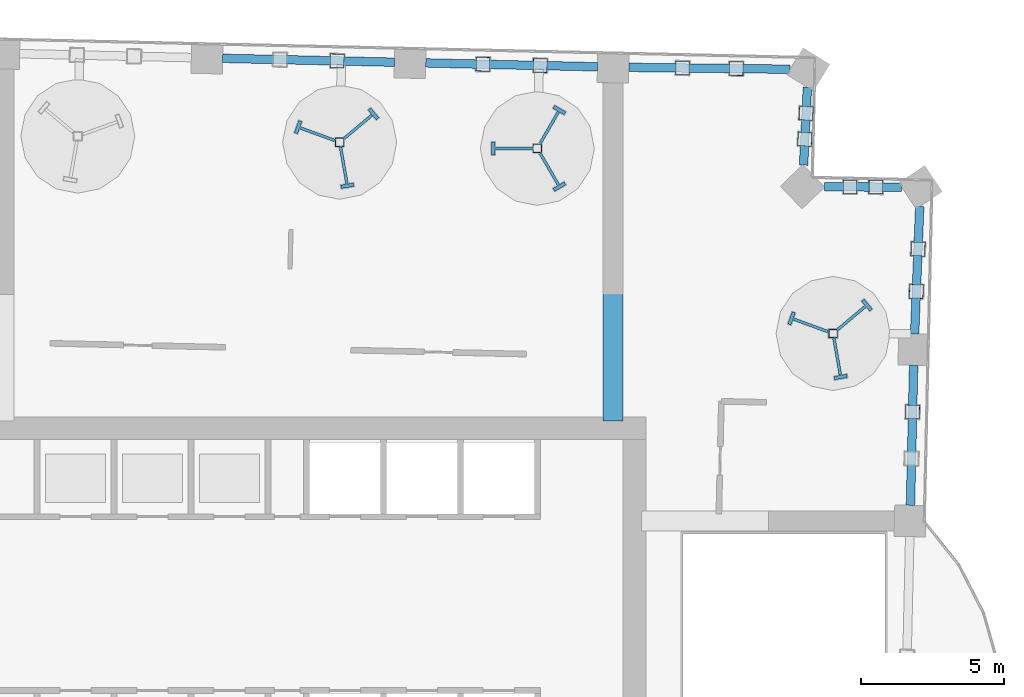
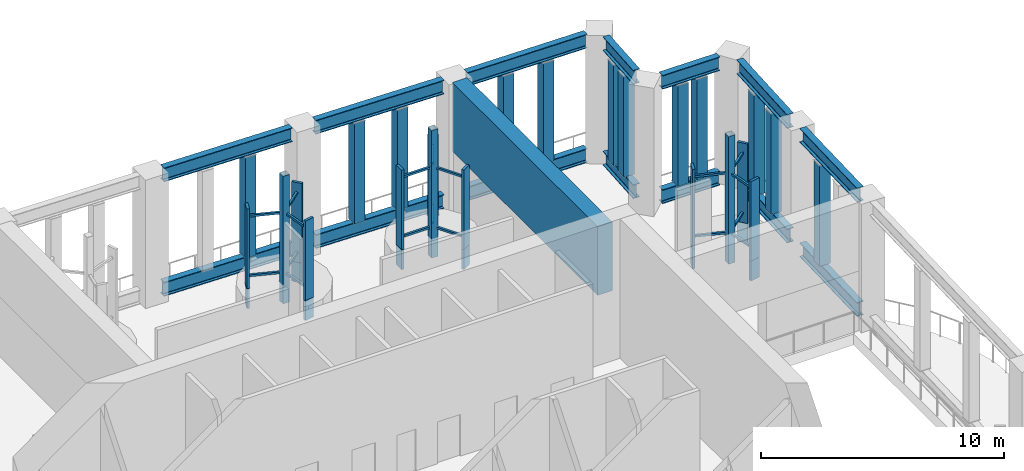
# One storey, part 6 of 33: 65 members, 1 beam.
"""IFC4 building model written with IfcOpenShell, lengths in metres."""

from ifc_helpers import new_model, si_unit, direction, frame, origin, origin_2d, place, context, subcontext, project, spatial, rectangle, hollow_rectangle, i_section, extrude, material, material_profile, profile_set, type_object, element, save


model = new_model("IFC4")

# Units and contexts
model_context = context("Model", 3, precision=1e-05, world=origin(), true_north=direction((0.0, 1.0)))
body_context = subcontext(model_context, "Body", "Model", "MODEL_VIEW")
ifc_project = project(units=[si_unit("LENGTHUNIT", "METRE"), si_unit("AREAUNIT", "SQUARE_METRE"), si_unit("VOLUMEUNIT", "CUBIC_METRE"), si_unit("PLANEANGLEUNIT", "RADIAN"), si_unit("MASSUNIT", "GRAM", prefix="KILO")], contexts=[model_context])

# Site, building, storey
site_placement = place(None, origin())
site = spatial("IfcSite", under=ifc_project, at=site_placement, CompositionType="ELEMENT")
building_placement = place(site_placement, origin())
building = spatial("IfcBuilding", under=site, at=building_placement, Name="Mangrove Gate Tower", CompositionType="ELEMENT")
storey_placement = place(building_placement, frame((0.0, 0.0, 219.5)))
storey = spatial("IfcBuildingStorey", under=building, at=storey_placement, Name="L56", CompositionType="ELEMENT", Elevation=219.5)

# Members
ifc_material_1 = material(Name="Steel S355J2", Category="steel")
ifc_material_profile_1 = material_profile(ifc_material_1, i_section(OverallWidth=0.300048828125, OverallDepth=0.699951171875, WebThickness=0.01708984375, FlangeThickness=0.031982421875, FilletRadius=0.027099609375, at=origin_2d()))
ifc_profile_set_1 = profile_set([ifc_material_profile_1], Name="Steel S355J2")
member_type_1 = type_object("IfcMemberType", Name="Belt truss chord HE 700 B", PredefinedType="CHORD", material=ifc_profile_set_1)
for number, where, z_axis, x_axis, name in (
    (1, (23.8837890625, 8.499267578125, 0.35009765625), (0.022765440356, 0.999740833779, 0.0), (-0.999740833779, 0.022765440356, 0.0), "Belt truss bottom chord L56 15"),
    (2, (23.8837890625, 8.499267578125, 6.10009765625), (0.022765440356, 0.999740833779, 0.0), (-0.999740833779, 0.022765440356, 0.0), "Belt truss top chord L56 15"),
):
    element("IfcMember", number, at=place(storey_placement, frame(where, z_axis=z_axis, x_axis=x_axis)), inside=storey, type_object=member_type_1, Name=name, PredefinedType="CHORD", context=body_context, shape_type="SweptSolid", body=[
        extrude(i_section(OverallWidth=0.300048828125, OverallDepth=0.699951171875, WebThickness=0.01708984375, FlangeThickness=0.031982421875, FilletRadius=0.027099609375, at=origin_2d()), origin(), (0.0, 0.0, 1.0), 4.91162109375),
    ])
for number, where, z_axis, x_axis, name in (
    (3, (24.030029296875, 14.509033203125, 0.35009765625), (0.040042213433, 0.999197988961, 0.0), (-0.999197988961, 0.040042213433, 0.0), "Belt truss bottom chord L56 16"),
    (4, (24.030029296875, 14.509033203125, 6.10009765625), (0.040042213433, 0.999197988961, 0.0), (-0.999197988961, 0.040042213433, 0.0), "Belt truss top chord L56 16"),
):
    element("IfcMember", number, at=place(storey_placement, frame(where, z_axis=z_axis, x_axis=x_axis)), inside=storey, type_object=member_type_1, Name=name, PredefinedType="CHORD", context=body_context, shape_type="SweptSolid", body=[
        extrude(i_section(OverallWidth=0.300048828125, OverallDepth=0.699951171875, WebThickness=0.01708984375, FlangeThickness=0.031982421875, FilletRadius=0.027099609375, at=origin_2d()), origin(), (0.0, 0.0, 1.0), 4.46923828125),
    ])
for number, where, z_axis, x_axis, name in (
    (5, (23.573486328125, 19.656494140625, 0.35009765625), (-0.999988617371, 0.004771281664, 0.0), (-0.004771281664, -0.999988617371, 0.0), "Belt truss bottom chord L56 17"),
    (6, (23.573486328125, 19.656494140625, 6.10009765625), (-0.999988617371, 0.004771281664, 0.0), (-0.004771281664, -0.999988617371, 0.0), "Belt truss top chord L56 17"),
):
    element("IfcMember", number, at=place(storey_placement, frame(where, z_axis=z_axis, x_axis=x_axis)), inside=storey, type_object=member_type_1, Name=name, PredefinedType="CHORD", context=body_context, shape_type="SweptSolid", body=[
        extrude(i_section(OverallWidth=0.300048828125, OverallDepth=0.699951171875, WebThickness=0.01708984375, FlangeThickness=0.031982421875, FilletRadius=0.027099609375, at=origin_2d()), origin(), (0.0, 0.0, 1.0), 2.7119140625),
    ])
for number, where, z_axis, x_axis, name in (
    (7, (20.134765625, 20.429931640625, 0.35009765625), (0.04918823776, 0.998789526009, 0.0), (-0.998789526009, 0.04918823776, 0.0), "Belt truss bottom chord L56 18"),
    (8, (20.134765625, 20.429931640625, 6.10009765625), (0.04918823776, 0.998789526009, 0.0), (-0.998789526009, 0.04918823776, 0.0), "Belt truss top chord L56 18"),
):
    element("IfcMember", number, at=place(storey_placement, frame(where, z_axis=z_axis, x_axis=x_axis)), inside=storey, type_object=member_type_1, Name=name, PredefinedType="CHORD", context=body_context, shape_type="SweptSolid", body=[
        extrude(i_section(OverallWidth=0.300048828125, OverallDepth=0.699951171875, WebThickness=0.01708984375, FlangeThickness=0.031982421875, FilletRadius=0.027099609375, at=origin_2d()), origin(), (0.0, 0.0, 1.0), 2.72998046875),
    ])
for number, where, z_axis, x_axis, name in (
    (9, (19.6572265625, 23.792236328125, 0.35009765625), (-0.999932997046, 0.011575898195, 0.0), (-0.011575898195, -0.999932997046, 0.0), "Belt truss bottom chord L56 19"),
    (10, (19.6572265625, 23.792236328125, 6.10009765625), (-0.999932997046, 0.011575898195, 0.0), (-0.011575898195, -0.999932997046, 0.0), "Belt truss top chord L56 19"),
):
    element("IfcMember", number, at=place(storey_placement, frame(where, z_axis=z_axis, x_axis=x_axis)), inside=storey, type_object=member_type_1, Name=name, PredefinedType="CHORD", context=body_context, shape_type="SweptSolid", body=[
        extrude(i_section(OverallWidth=0.300048828125, OverallDepth=0.699951171875, WebThickness=0.01708984375, FlangeThickness=0.031982421875, FilletRadius=0.027099609375, at=origin_2d()), origin(), (0.0, 0.0, 1.0), 5.65234375),
    ])
for number, where, z_axis, x_axis, name in (
    (11, (12.905517578125, 23.876708984375, 0.35009765625), (-0.999741479717, 0.022737056396, 0.0), (-0.022737056396, -0.999741479717, 0.0), "Belt truss bottom chord L56 20"),
    (12, (12.905517578125, 23.876708984375, 6.10009765625), (-0.999741479717, 0.022737056396, 0.0), (-0.022737056396, -0.999741479717, 0.0), "Belt truss top chord L56 20"),
    (13, (5.78369140625, 24.03857421875, 0.35009765625), (-0.999744236189, 0.022615530214, 0.0), (-0.022615530214, -0.999744236189, 0.0), "Belt truss bottom chord L56 21"),
    (14, (5.78369140625, 24.03857421875, 6.10009765625), (-0.999744236189, 0.022615530214, 0.0), (-0.022615530214, -0.999744236189, 0.0), "Belt truss top chord L56 21"),
):
    element("IfcMember", number, at=place(storey_placement, frame(where, z_axis=z_axis, x_axis=x_axis)), inside=storey, type_object=member_type_1, Name=name, PredefinedType="CHORD", context=body_context, shape_type="SweptSolid", body=[
        extrude(i_section(OverallWidth=0.300048828125, OverallDepth=0.699951171875, WebThickness=0.01708984375, FlangeThickness=0.031982421875, FilletRadius=0.027099609375, at=origin_2d()), origin(), (0.0, 0.0, 1.0), 6.023681640625),
    ])
ifc_material_2 = material(Name="Steel S355J2H", Category="steel")
ifc_material_profile_2 = material_profile(ifc_material_2, hollow_rectangle(XDim=0.5, YDim=0.5, WallThickness=0.02001953125, at=origin_2d()))
ifc_profile_set_2 = profile_set([ifc_material_profile_2], Name="Steel S355J2H")
member_type_2 = type_object("IfcMemberType", Name="Belt truss post SHS 500x500x20", PredefinedType="POST", material=ifc_profile_set_2)
for number, where, z_axis, x_axis, name in (
    (15, (23.958251953125, 11.77294921875, 0.699951171875), (0.0, 0.0, 1.0), (0.022789461282, 0.999740286502, 0.0), "Belt truss post L56 15-2"),
    (16, (24.08984375, 15.99755859375, 0.699951171875), (0.0, 0.0, 1.0), (0.040005183386, 0.999199472229, 0.0), "Belt truss post L56 16-1"),
    (17, (24.1494140625, 17.486083984375, 0.699951171875), (0.0, 0.0, 1.0), (0.040005183386, 0.999199472229, 0.0), "Belt truss post L56 16-2"),
    (18, (22.66943359375, 19.66064453125, 0.699951171875), (0.0, 0.0, 1.0), (-0.9999887016, 0.004753595755, 0.0), "Belt truss post L56 17-1"),
    (19, (21.765625, 19.6650390625, 0.699951171875), (0.0, 0.0, 1.0), (-0.9999887016, 0.004753595755, 0.0), "Belt truss post L56 17-2"),
    (20, (20.179443359375, 21.3388671875, 0.699951171875), (0.0, 0.0, 1.0), (0.04921075789, 0.998788416687, 0.0), "Belt truss post L56 18-1"),
    (21, (20.224365234375, 22.247802734375, 0.699951171875), (0.0, 0.0, 1.0), (0.04921075789, 0.998788416687, 0.0), "Belt truss post L56 18-2"),
    (22, (17.7734375, 23.81396484375, 0.699951171875), (0.0, 0.0, 1.0), (-0.999932615041, 0.011608849119, 0.0), "Belt truss post L56 19-1"),
    (23, (15.889404296875, 23.8359375, 0.699951171875), (0.0, 0.0, 1.0), (-0.999932615041, 0.011608849119, 0.0), "Belt truss post L56 19-2"),
    (24, (10.898193359375, 23.92236328125, 0.699951171875), (0.0, 0.0, 1.0), (-0.999741400996, 0.022740517484, 0.0), "Belt truss post L56 20-1"),
    (25, (8.890869140625, 23.968017578125, 0.699951171875), (0.0, 0.0, 1.0), (-0.999741400996, 0.022740517484, 0.0), "Belt truss post L56 20-2"),
    (26, (3.776123046875, 24.083984375, 0.699951171875), (0.0, 0.0, 1.0), (-0.999744582204, 0.022600229076, 0.0), "Belt truss post L56 21-1"),
):
    element("IfcMember", number, at=place(storey_placement, frame(where, z_axis=z_axis, x_axis=x_axis)), inside=storey, type_object=member_type_2, Name=name, PredefinedType="POST", context=body_context, shape_type="SweptSolid", body=[
        extrude(hollow_rectangle(XDim=0.5, YDim=0.5, WallThickness=0.02001953125, at=origin_2d()), origin(), (0.0, 0.0, 1.0), 5.050048828125),
    ])

# Beam
ifc_material_3 = material(Name="Concrete C60/75", Category="concrete")
ifc_material_profile_3 = material_profile(ifc_material_3, rectangle(XDim=0.699951171875, YDim=3.449951171875, at=origin_2d()))
ifc_profile_set_3 = profile_set([ifc_material_profile_3], Name="Concrete C60/75")
beam_type = type_object("IfcBeamType", Name="Outrigger coupling beam RC 700x3450 C60/75", PredefinedType="BEAM", material=ifc_profile_set_3)
beam_placement = place(storey_placement, frame((13.45556640625, 11.449951171875, 4.72509765625), z_axis=(0.0, 1.0, 0.0), x_axis=(-1.0, 0.0, 0.0)))
element("IfcBeam", 27, at=beam_placement, inside=storey, type_object=beam_type, Name="Outrigger coupling beam L56 OR3", PredefinedType="BEAM", context=body_context, shape_type="SweptSolid", body=[
    extrude(rectangle(XDim=0.699951171875, YDim=3.449951171875, at=origin_2d()), origin(), (0.0, 0.0, 1.0), 11.964111328125),
])

# Members
ifc_material_4 = material(Name="Steel S355J2H", Category="steel")
ifc_material_profile_4 = material_profile(ifc_material_4, rectangle(XDim=0.449951171875, YDim=0.1201171875, at=origin_2d()))
ifc_profile_set_4 = profile_set([ifc_material_profile_4], Name="Steel S355J2H")
member_type_3 = type_object("IfcMemberType", Name="Turbine fin seat 450x120", PredefinedType="USERDEFINED", material=ifc_profile_set_4)
for number, where, z_axis, x_axis, name in (
    (28, (5.051025390625, 22.22705078125, 0.0), (0.0, 0.0, 1.0), (-0.642787609687, 0.766044443119, 0.0), "TURBINE FIN SEAT L56 3.1"),
    (29, (2.406982421875, 21.760986328125, 0.0), (0.0, 0.0, 1.0), (-0.342020143326, -0.939692620786, 0.0), "TURBINE FIN SEAT L56 3.2"),
    (30, (4.133056640625, 19.705078125, 0.0), (0.0, 0.0, 1.0), (0.984807753012, 0.173648177667, 0.0), "TURBINE FIN SEAT L56 3.3"),
    (31, (11.572021484375, 22.35888671875, 0.0), (0.0, 0.0, 1.0), (-0.866025403784, 0.5, 0.0), "TURBINE FIN SEAT L56 4.1"),
    (32, (9.2470703125, 21.01708984375, 0.0), (0.0, 0.0, 1.0), (0.0, -1.0, 0.0), "TURBINE FIN SEAT L56 4.2"),
    (33, (11.572021484375, 19.675048828125, 0.0), (0.0, 0.0, 1.0), (0.866025403784, 0.5, 0.0), "TURBINE FIN SEAT L56 4.3"),
    (34, (22.35693359375, 15.52001953125, 0.0), (0.0, 0.0, 1.0), (-0.642787609687, 0.766044443119, 0.0), "TURBINE FIN SEAT L56 9.1"),
    (35, (19.712890625, 15.053955078125, 0.0), (0.0, 0.0, 1.0), (-0.342020143326, -0.939692620786, 0.0), "TURBINE FIN SEAT L56 9.2"),
    (36, (21.43896484375, 12.998046875, 0.0), (0.0, 0.0, 1.0), (0.984807753012, 0.173648177667, 0.0), "TURBINE FIN SEAT L56 9.3"),
):
    element("IfcMember", number, at=place(storey_placement, frame(where, z_axis=z_axis, x_axis=x_axis)), inside=storey, type_object=member_type_3, Name=name, ObjectType="TURBINE FIN SEAT", PredefinedType="USERDEFINED", context=body_context, shape_type="SweptSolid", body=[
        extrude(rectangle(XDim=0.449951171875, YDim=0.1201171875, at=origin_2d()), origin(), (0.0, 0.0, 1.0), 1.0),
    ])
ifc_material_5 = material(Name="Steel S355J2H", Category="steel")
ifc_material_profile_5 = material_profile(ifc_material_5, hollow_rectangle(XDim=0.10009765625, YDim=0.10009765625, WallThickness=0.008056640625, at=origin_2d()))
ifc_profile_set_5 = profile_set([ifc_material_profile_5], Name="Steel S355J2H")
member_type_4 = type_object("IfcMemberType", Name="Turbine hub arm RHS 100x100x8", PredefinedType="STRUT", material=ifc_profile_set_5)
for number, where, z_axis, x_axis, name in (
    (37, (4.027099609375, 21.367919921875, 1.5), (0.765803384004, 0.643074783402, 0.0), (-0.643074783402, 0.765803384004, 0.0), "TURBINE ARM L56 3.1.1"),
    (38, (4.027099609375, 21.367919921875, 4.5), (0.765803384004, 0.643074783402, 0.0), (-0.643074783402, 0.765803384004, 0.0), "TURBINE ARM L56 3.1.2"),
):
    element("IfcMember", number, at=place(storey_placement, frame(where, z_axis=z_axis, x_axis=x_axis)), inside=storey, type_object=member_type_4, Name=name, PredefinedType="STRUT", context=body_context, shape_type="SweptSolid", body=[
        extrude(hollow_rectangle(XDim=0.10009765625, YDim=0.10009765625, WallThickness=0.008056640625, at=origin_2d()), origin(), (0.0, 0.0, 1.0), 1.26904296875),
    ])
for number, where, z_axis, x_axis, name in (
    (39, (3.68798828125, 21.294921875, 1.5), (-0.939655758532, 0.342121404561, 0.0), (-0.342121404561, -0.939655758532, 0.0), "TURBINE ARM L56 3.2.1"),
    (40, (3.68798828125, 21.294921875, 4.5), (-0.939655758532, 0.342121404561, 0.0), (-0.342121404561, -0.939655758532, 0.0), "TURBINE ARM L56 3.2.2"),
):
    element("IfcMember", number, at=place(storey_placement, frame(where, z_axis=z_axis, x_axis=x_axis)), inside=storey, type_object=member_type_4, Name=name, PredefinedType="STRUT", context=body_context, shape_type="SweptSolid", body=[
        extrude(hollow_rectangle(XDim=0.10009765625, YDim=0.10009765625, WallThickness=0.008056640625, at=origin_2d()), origin(), (0.0, 0.0, 1.0), 1.295166015625),
    ])
for number, where, z_axis, x_axis, name in (
    (41, (3.89404296875, 21.06396484375, 1.5), (0.173084557887, -0.984906968105, 0.0), (0.984906968105, 0.173084557887, 0.0), "TURBINE ARM L56 3.3.1"),
    (42, (3.89404296875, 21.06396484375, 4.5), (0.173084557887, -0.984906968105, 0.0), (0.984906968105, 0.173084557887, 0.0), "TURBINE ARM L56 3.3.2"),
):
    element("IfcMember", number, at=place(storey_placement, frame(where, z_axis=z_axis, x_axis=x_axis)), inside=storey, type_object=member_type_4, Name=name, PredefinedType="STRUT", context=body_context, shape_type="SweptSolid", body=[
        extrude(hollow_rectangle(XDim=0.10009765625, YDim=0.10009765625, WallThickness=0.008056640625, at=origin_2d()), origin(), (0.0, 0.0, 1.0), 1.311767578125),
    ])
for number, where, z_axis, x_axis, name in (
    (43, (10.902099609375, 21.199951171875, 1.5), (0.500498449207, 0.865737432679, 0.0), (-0.865737432679, 0.500498449207, 0.0), "TURBINE ARM L56 4.1.1"),
    (44, (10.902099609375, 21.199951171875, 4.5), (0.500498449207, 0.865737432679, 0.0), (-0.865737432679, 0.500498449207, 0.0), "TURBINE ARM L56 4.1.2"),
):
    element("IfcMember", number, at=place(storey_placement, frame(where, z_axis=z_axis, x_axis=x_axis)), inside=storey, type_object=member_type_4, Name=name, PredefinedType="STRUT", context=body_context, shape_type="SweptSolid", body=[
        extrude(hollow_rectangle(XDim=0.10009765625, YDim=0.10009765625, WallThickness=0.008056640625, at=origin_2d()), origin(), (0.0, 0.0, 1.0), 1.270751953125),
    ])
for number, where, z_axis, x_axis, name in (
    (45, (10.638916015625, 21.01708984375, 1.5), (-1.0, 0.0, 0.0), (0.0, -1.0, 0.0), "TURBINE ARM L56 4.2.1"),
    (46, (10.638916015625, 21.01708984375, 4.5), (-1.0, 0.0, 0.0), (0.0, -1.0, 0.0), "TURBINE ARM L56 4.2.2"),
):
    element("IfcMember", number, at=place(storey_placement, frame(where, z_axis=z_axis, x_axis=x_axis)), inside=storey, type_object=member_type_4, Name=name, PredefinedType="STRUT", context=body_context, shape_type="SweptSolid", body=[
        extrude(hollow_rectangle(XDim=0.10009765625, YDim=0.10009765625, WallThickness=0.008056640625, at=origin_2d()), origin(), (0.0, 0.0, 1.0), 1.323974609375),
    ])
for number, where, z_axis, x_axis, name in (
    (47, (10.902099609375, 20.833984375, 1.5), (0.500498449207, -0.865737432679, 0.0), (0.865737432679, 0.500498449207, 0.0), "TURBINE ARM L56 4.3.1"),
    (48, (10.902099609375, 20.833984375, 4.5), (0.500498449207, -0.865737432679, 0.0), (0.865737432679, 0.500498449207, 0.0), "TURBINE ARM L56 4.3.2"),
):
    element("IfcMember", number, at=place(storey_placement, frame(where, z_axis=z_axis, x_axis=x_axis)), inside=storey, type_object=member_type_4, Name=name, PredefinedType="STRUT", context=body_context, shape_type="SweptSolid", body=[
        extrude(hollow_rectangle(XDim=0.10009765625, YDim=0.10009765625, WallThickness=0.008056640625, at=origin_2d()), origin(), (0.0, 0.0, 1.0), 1.270751953125),
    ])
for number, where, z_axis, x_axis, name in (
    (49, (21.3330078125, 14.660888671875, 1.5), (0.765803384004, 0.643074783402, 0.0), (-0.643074783402, 0.765803384004, 0.0), "TURBINE ARM L56 9.1.1"),
    (50, (21.3330078125, 14.660888671875, 4.5), (0.765803384004, 0.643074783402, 0.0), (-0.643074783402, 0.765803384004, 0.0), "TURBINE ARM L56 9.1.2"),
):
    element("IfcMember", number, at=place(storey_placement, frame(where, z_axis=z_axis, x_axis=x_axis)), inside=storey, type_object=member_type_4, Name=name, PredefinedType="STRUT", context=body_context, shape_type="SweptSolid", body=[
        extrude(hollow_rectangle(XDim=0.10009765625, YDim=0.10009765625, WallThickness=0.008056640625, at=origin_2d()), origin(), (0.0, 0.0, 1.0), 1.26904296875),
    ])
for number, where, z_axis, x_axis, name in (
    (51, (20.993896484375, 14.587890625, 1.5), (-0.939633689692, 0.342182011796, 0.0), (-0.342182011796, -0.939633689692, 0.0), "TURBINE ARM L56 9.2.1"),
    (52, (20.993896484375, 14.587890625, 4.5), (-0.939633689692, 0.342182011796, 0.0), (-0.342182011796, -0.939633689692, 0.0), "TURBINE ARM L56 9.2.2"),
):
    element("IfcMember", number, at=place(storey_placement, frame(where, z_axis=z_axis, x_axis=x_axis)), inside=storey, type_object=member_type_4, Name=name, PredefinedType="STRUT", context=body_context, shape_type="SweptSolid", body=[
        extrude(hollow_rectangle(XDim=0.10009765625, YDim=0.10009765625, WallThickness=0.008056640625, at=origin_2d()), origin(), (0.0, 0.0, 1.0), 1.294921875),
    ])
for number, where, z_axis, x_axis, name in (
    (53, (21.199951171875, 14.35693359375, 1.5), (0.173084557887, -0.984906968105, 0.0), (0.984906968105, 0.173084557887, 0.0), "TURBINE ARM L56 9.3.1"),
    (54, (21.199951171875, 14.35693359375, 4.5), (0.173084557887, -0.984906968105, 0.0), (0.984906968105, 0.173084557887, 0.0), "TURBINE ARM L56 9.3.2"),
):
    element("IfcMember", number, at=place(storey_placement, frame(where, z_axis=z_axis, x_axis=x_axis)), inside=storey, type_object=member_type_4, Name=name, PredefinedType="STRUT", context=body_context, shape_type="SweptSolid", body=[
        extrude(hollow_rectangle(XDim=0.10009765625, YDim=0.10009765625, WallThickness=0.008056640625, at=origin_2d()), origin(), (0.0, 0.0, 1.0), 1.311767578125),
    ])
ifc_material_6 = material(Name="Steel S355J2H", Category="steel")
ifc_material_profile_6 = material_profile(ifc_material_6, hollow_rectangle(XDim=0.300048828125, YDim=0.300048828125, WallThickness=0.011962890625, at=origin_2d()))
ifc_profile_set_6 = profile_set([ifc_material_profile_6], Name="Steel S355J2H")
member_type_5 = type_object("IfcMemberType", Name="Turbine mast RHS 300x300x12", PredefinedType="USERDEFINED", material=ifc_profile_set_6)
for number, where, z_axis, x_axis, name in (
    (55, (3.864013671875, 21.23095703125, 0.02001953125), (0.0, 0.0, 1.0), (1.0, 0.0, 0.0), "TURBINE MAST L56 3"),
    (56, (10.797119140625, 21.01708984375, 0.02001953125), (0.0, 0.0, 1.0), (1.0, 0.0, 0.0), "TURBINE MAST L56 4"),
    (57, (21.169921875, 14.52392578125, 0.02001953125), (0.0, 0.0, 1.0), (1.0, 0.0, 0.0), "TURBINE MAST L56 9"),
):
    element("IfcMember", number, at=place(storey_placement, frame(where, z_axis=z_axis, x_axis=x_axis)), inside=storey, type_object=member_type_5, Name=name, ObjectType="TURBINE MAST", PredefinedType="USERDEFINED", context=body_context, shape_type="SweptSolid", body=[
        extrude(hollow_rectangle(XDim=0.300048828125, YDim=0.300048828125, WallThickness=0.011962890625, at=origin_2d()), origin(), (0.0, 0.0, 1.0), 6.409912109375),
    ])
ifc_material_7 = material(Name="Aluminium alloy 6063-T6", Category="aluminium")
ifc_material_profile_7 = material_profile(ifc_material_7, rectangle(XDim=0.449951171875, YDim=0.1201171875, at=origin_2d()))
ifc_profile_set_7 = profile_set([ifc_material_profile_7], Name="Aluminium alloy 6063-T6")
member_type_6 = type_object("IfcMemberType", Name="Turbine rotor fin 450x120", PredefinedType="PLATE", material=ifc_profile_set_7)
for number, where, z_axis, x_axis, name in (
    (58, (5.051025390625, 22.22705078125, 1.0), (0.0, 0.0, 1.0), (-0.642787609687, 0.766044443119, 0.0), "TURBINE FIN L56 3.1"),
    (59, (2.406982421875, 21.760986328125, 1.0), (0.0, 0.0, 1.0), (-0.342020143326, -0.939692620786, 0.0), "TURBINE FIN L56 3.2"),
    (60, (4.133056640625, 19.705078125, 1.0), (0.0, 0.0, 1.0), (0.984807753012, 0.173648177667, 0.0), "TURBINE FIN L56 3.3"),
    (61, (11.572021484375, 22.35888671875, 1.0), (0.0, 0.0, 1.0), (-0.866025403784, 0.5, 0.0), "TURBINE FIN L56 4.1"),
    (62, (9.2470703125, 21.01708984375, 1.0), (0.0, 0.0, 1.0), (0.0, -1.0, 0.0), "TURBINE FIN L56 4.2"),
    (63, (11.572021484375, 19.675048828125, 1.0), (0.0, 0.0, 1.0), (0.866025403784, 0.5, 0.0), "TURBINE FIN L56 4.3"),
    (64, (22.35693359375, 15.52001953125, 1.0), (0.0, 0.0, 1.0), (-0.642787609687, 0.766044443119, 0.0), "TURBINE FIN L56 9.1"),
    (65, (19.712890625, 15.053955078125, 1.0), (0.0, 0.0, 1.0), (-0.342020143326, -0.939692620786, 0.0), "TURBINE FIN L56 9.2"),
    (66, (21.43896484375, 12.998046875, 1.0), (0.0, 0.0, 1.0), (0.984807753012, 0.173648177667, 0.0), "TURBINE FIN L56 9.3"),
):
    element("IfcMember", number, at=place(storey_placement, frame(where, z_axis=z_axis, x_axis=x_axis)), inside=storey, type_object=member_type_6, Name=name, PredefinedType="PLATE", context=body_context, shape_type="SweptSolid", body=[
        extrude(rectangle(XDim=0.449951171875, YDim=0.1201171875, at=origin_2d()), origin(), (0.0, 0.0, 1.0), 4.0),
    ])

save(model, "model.ifc")
